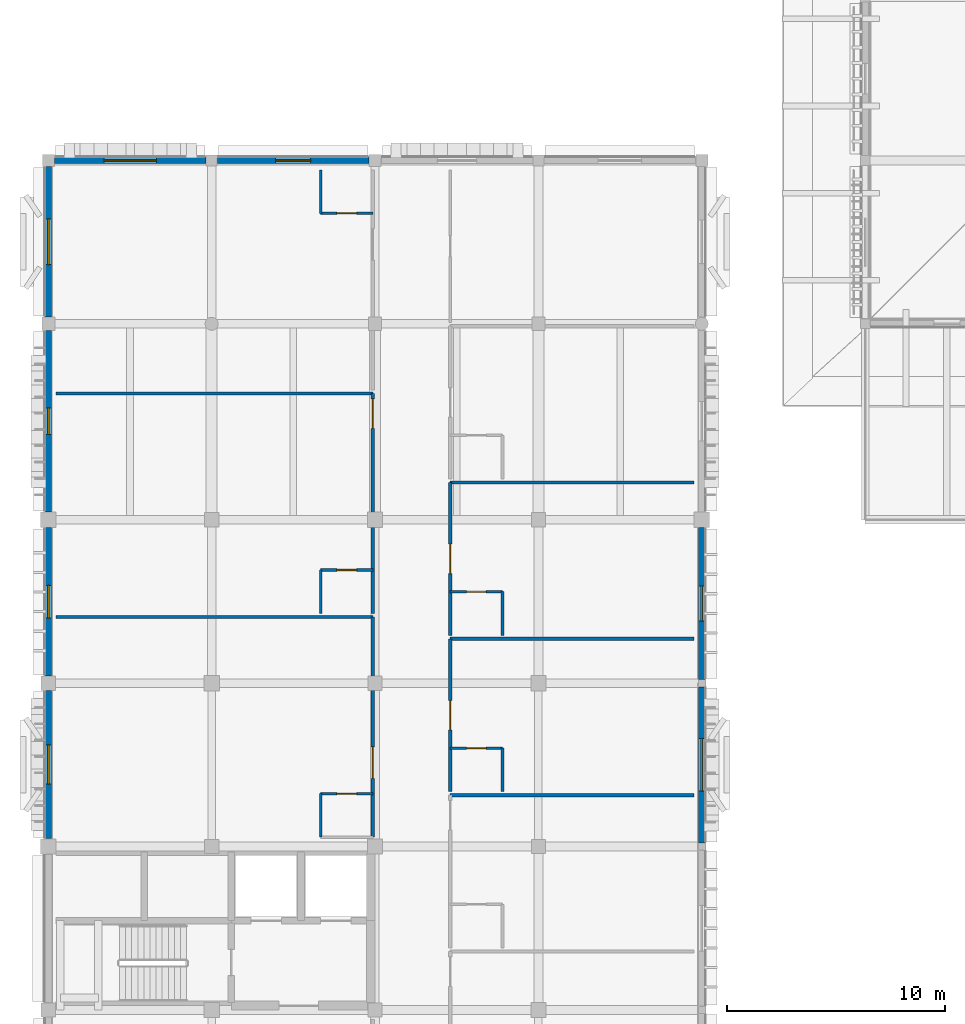
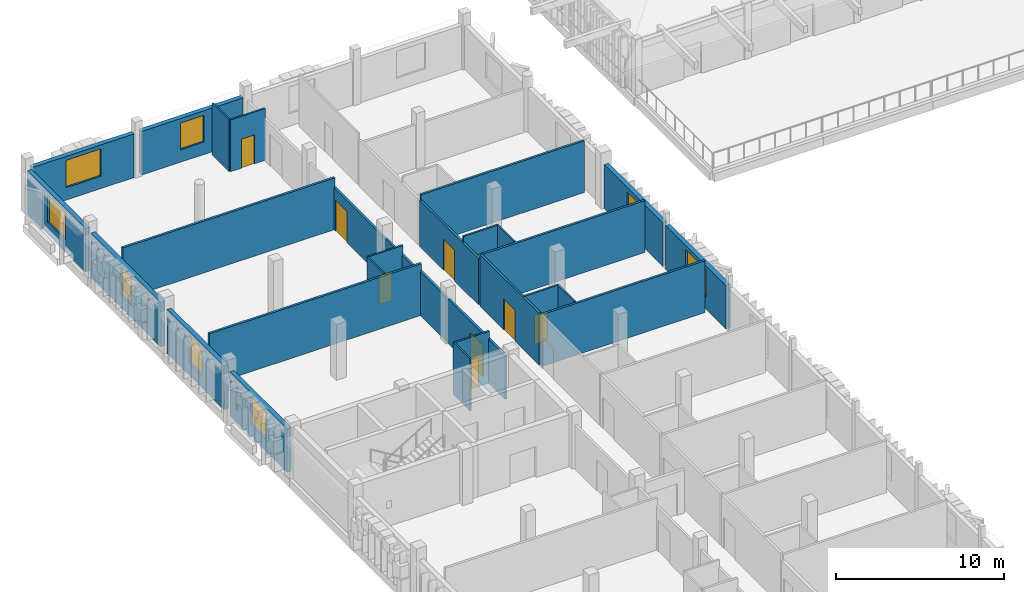
# One storey, part 21 of 48: 27 walls, 9 doors, 8 windows, 17 openings.
"""IFC4 building model written with IfcOpenShell, lengths in metres."""

from ifc_helpers import new_model, si_unit, direction, frame, frame_2d, origin, place, context, subcontext, project, spatial, rectangle, extrude, material, layer, layer_set, type_object, element, fill, save


model = new_model("IFC4")

# Units and contexts
model_context = context("Model", 3, precision=1e-05, world=origin(), true_north=direction((0.0, 1.0)))
body_context = subcontext(model_context, "Body", "Model", "MODEL_VIEW")
ifc_project = project(units=[si_unit("LENGTHUNIT", "METRE"), si_unit("AREAUNIT", "SQUARE_METRE"), si_unit("VOLUMEUNIT", "CUBIC_METRE"), si_unit("PLANEANGLEUNIT", "RADIAN"), si_unit("MASSUNIT", "GRAM", prefix="KILO")], contexts=[model_context])

# Site, building, storey
site_placement = place(None, origin())
site = spatial("IfcSite", under=ifc_project, at=site_placement, CompositionType="ELEMENT")
building_placement = place(site_placement, origin())
building = spatial("IfcBuilding", under=site, at=building_placement, Name="Dalvernix Boulevard General Hospital", CompositionType="ELEMENT")
storey_placement = place(building_placement, frame((0.0, 0.0, 17.85009765625)))
storey = spatial("IfcBuildingStorey", under=building, at=storey_placement, Name="L04", CompositionType="ELEMENT", Elevation=17.85009765625)

# Wall, opening, window
ifc_material_1 = material(Name="Pressed Catalan clay brick and ceramic spandrel wall C35/45", Category="masonry")
ifc_layer_1 = layer(ifc_material_1, 0.300048828125)
ifc_layer_set_1 = layer_set([ifc_layer_1], Name="Pressed Catalan clay brick and ceramic spandrel wall C35/45 (WAL-EW-02)")
wall_type_1 = type_object("IfcWallType", Name="WAL-EW-02", PredefinedType="STANDARD", material=ifc_layer_set_1)
wall_1_placement = place(storey_placement, frame((0.0, 61.860107421875, 0.0), z_axis=(0.0, 0.0, 1.0), x_axis=(0.0, 1.0, 0.0)))
wall_1 = element("IfcWall", 1, at=wall_1_placement, inside=storey, type_object=wall_type_1, Name="L04 Catalan brick external wall W 0-8", PredefinedType="STANDARD", context=body_context, shape_type="SweptSolid", body=[
    extrude(rectangle(XDim=6.804931640625, YDim=0.300048828125, at=frame_2d((3.40234375, 0.0))), origin(), (0.0, 0.0, 1.0), 3.169921875),
])
opening_1_placement = place(wall_1_placement, frame((2.50244140625, 0.0, 0.89990234375)))
opening_1 = element("IfcOpeningElement", 2, at=opening_1_placement, cuts=wall_1, Name="Opening WN-05", PredefinedType="OPENING", context=body_context, shape_type="SweptSolid", body=[
    extrude(rectangle(XDim=1.800048828125, YDim=1.989990234375, at=frame_2d((0.89990234375, 0.9951171875))), frame((0.0, 0.159912109375, 0.0), z_axis=(0.0, -1.0, 0.0), x_axis=(1.0, 0.0, 0.0)), (0.0, 0.0, 1.0), 0.320068359375),
])
ifc_material_2 = material(Name="Thermally broken aluminium frame with solar-control double glazing", Category="aluminium")
window_type_1 = type_object("IfcWindowType", Name="WIN-WN-05", PartitioningType="SINGLE_PANEL", PredefinedType="WINDOW", material=ifc_material_2)
window_1_placement = place(opening_1_placement, origin())
window_1 = element("IfcWindow", 3, at=window_1_placement, inside=storey, type_object=window_type_1, Name="L04 clinical window WN-05 W 0-8", OverallHeight=1.989990234375, OverallWidth=1.800048828125, PartitioningType="SINGLE_PANEL", PredefinedType="WINDOW", context=body_context, shape_type="SweptSolid", body=[
    extrude(rectangle(XDim=1.800048828125, YDim=1.989990234375, at=frame_2d((0.89990234375, 0.9951171875))), frame((0.0, 0.030029296875, 0.0), z_axis=(0.0, -1.0, 0.0), x_axis=(1.0, 0.0, 0.0)), (0.0, 0.0, 1.0), 0.06005859375),
])
fill(opening_1, window_1)

wall_2_placement = place(storey_placement, frame((0.0, 69.3349609375, 0.0), z_axis=(0.0, 0.0, 1.0), x_axis=(0.0, 1.0, 0.0)))
wall_2 = element("IfcWall", 4, at=wall_2_placement, inside=storey, type_object=wall_type_1, Name="L04 Catalan brick external wall W 0-9", PredefinedType="STANDARD", context=body_context, shape_type="SweptSolid", body=[
    extrude(rectangle(XDim=6.804931640625, YDim=0.300048828125, at=frame_2d((3.40234375, 0.0))), origin(), (0.0, 0.0, 1.0), 3.169921875),
])
opening_2_placement = place(wall_2_placement, frame((2.652587890625, 0.0, 0.89990234375)))
opening_2 = element("IfcOpeningElement", 5, at=opening_2_placement, cuts=wall_2, Name="Opening WN-06", PredefinedType="OPENING", context=body_context, shape_type="SweptSolid", body=[
    extrude(rectangle(XDim=1.5, YDim=1.989990234375, at=frame_2d((0.75, 0.9951171875))), frame((0.0, 0.159912109375, 0.0), z_axis=(0.0, -1.0, 0.0), x_axis=(1.0, 0.0, 0.0)), (0.0, 0.0, 1.0), 0.320068359375),
])
window_type_2 = type_object("IfcWindowType", Name="WIN-WN-06", PartitioningType="SINGLE_PANEL", PredefinedType="WINDOW", material=ifc_material_2)
window_2_placement = place(opening_2_placement, origin())
window_2 = element("IfcWindow", 6, at=window_2_placement, inside=storey, type_object=window_type_2, Name="L04 clinical window WN-06 W 0-9", OverallHeight=1.989990234375, OverallWidth=1.5, PartitioningType="SINGLE_PANEL", PredefinedType="WINDOW", context=body_context, shape_type="SweptSolid", body=[
    extrude(rectangle(XDim=1.5, YDim=1.989990234375, at=frame_2d((0.75, 0.9951171875))), frame((0.0, 0.030029296875, 0.0), z_axis=(0.0, -1.0, 0.0), x_axis=(1.0, 0.0, 0.0)), (0.0, 0.0, 1.0), 0.06005859375),
])
fill(opening_2, window_2)

wall_3_placement = place(storey_placement, frame((0.0, 76.860107421875, 0.0), z_axis=(0.0, 0.0, 1.0), x_axis=(0.0, 1.0, 0.0)))
wall_3 = element("IfcWall", 7, at=wall_3_placement, inside=storey, type_object=wall_type_1, Name="L04 Catalan brick external wall W 0-10", PredefinedType="STANDARD", context=body_context, shape_type="SweptSolid", body=[
    extrude(rectangle(XDim=8.329833984375, YDim=0.300048828125, at=frame_2d((4.1650390625, 0.0))), origin(), (0.0, 0.0, 1.0), 3.219970703125),
])
opening_3_placement = place(wall_3_placement, frame((3.56494140625, 0.0, 0.89990234375)))
opening_3 = element("IfcOpeningElement", 8, at=opening_3_placement, cuts=wall_3, Name="Opening WN-07", PredefinedType="OPENING", context=body_context, shape_type="SweptSolid", body=[
    extrude(rectangle(XDim=1.199951171875, YDim=2.0400390625, at=frame_2d((0.60009765625, 1.02001953125))), frame((0.0, 0.159912109375, 0.0), z_axis=(0.0, -1.0, 0.0), x_axis=(1.0, 0.0, 0.0)), (0.0, 0.0, 1.0), 0.320068359375),
])
window_type_3 = type_object("IfcWindowType", Name="WIN-WN-07", PartitioningType="SINGLE_PANEL", PredefinedType="WINDOW", material=ifc_material_2)
window_3_placement = place(opening_3_placement, origin())
window_3 = element("IfcWindow", 9, at=window_3_placement, inside=storey, type_object=window_type_3, Name="L04 clinical window WN-07 W 0-10", OverallHeight=2.0400390625, OverallWidth=1.199951171875, PartitioningType="SINGLE_PANEL", PredefinedType="WINDOW", context=body_context, shape_type="SweptSolid", body=[
    extrude(rectangle(XDim=1.199951171875, YDim=2.0400390625, at=frame_2d((0.60009765625, 1.02001953125))), frame((0.0, 0.030029296875, 0.0), z_axis=(0.0, -1.0, 0.0), x_axis=(1.0, 0.0, 0.0)), (0.0, 0.0, 1.0), 0.06005859375),
])
fill(opening_3, window_3)

wall_4_placement = place(storey_placement, frame((0.284912109375, 93.0, 0.0), z_axis=(0.0, 0.0, 1.0), x_axis=(1.0, 0.0, 0.0)))
wall_4 = element("IfcWall", 10, at=wall_4_placement, inside=storey, type_object=wall_type_1, Name="L04 Catalan brick external wall N 0-12", PredefinedType="STANDARD", context=body_context, shape_type="SweptSolid", body=[
    extrude(rectangle(XDim=6.955078125, YDim=0.300048828125, at=frame_2d((3.4775390625, 0.0))), origin(), (0.0, 0.0, 1.0), 3.169921875),
])
opening_4_placement = place(wall_4_placement, frame((2.277587890625, 0.0, 0.89990234375)))
opening_4 = element("IfcOpeningElement", 11, at=opening_4_placement, cuts=wall_4, Name="Opening WN-09", PredefinedType="OPENING", context=body_context, shape_type="SweptSolid", body=[
    extrude(rectangle(XDim=2.39990234375, YDim=1.989990234375, at=frame_2d((1.199951171875, 0.9951171875))), frame((0.0, 0.159912109375, 0.0), z_axis=(0.0, -1.0, 0.0), x_axis=(1.0, 0.0, 0.0)), (0.0, 0.0, 1.0), 0.320068359375),
])
window_type_4 = type_object("IfcWindowType", Name="WIN-WN-09", PartitioningType="SINGLE_PANEL", PredefinedType="WINDOW", material=ifc_material_2)
window_4_placement = place(opening_4_placement, origin())
window_4 = element("IfcWindow", 12, at=window_4_placement, inside=storey, type_object=window_type_4, Name="L04 clinical window WN-09 N 0-12", OverallHeight=1.989990234375, OverallWidth=2.39990234375, PartitioningType="SINGLE_PANEL", PredefinedType="WINDOW", context=body_context, shape_type="SweptSolid", body=[
    extrude(rectangle(XDim=2.39990234375, YDim=1.989990234375, at=frame_2d((1.199951171875, 0.9951171875))), frame((0.0, 0.030029296875, 0.0), z_axis=(0.0, -1.0, 0.0), x_axis=(1.0, 0.0, 0.0)), (0.0, 0.0, 1.0), 0.06005859375),
])
fill(opening_4, window_4)

wall_5_placement = place(storey_placement, frame((0.0, 85.81005859375, 0.0), z_axis=(0.0, 0.0, 1.0), x_axis=(0.0, 1.0, 0.0)))
wall_5 = element("IfcWall", 13, at=wall_5_placement, inside=storey, type_object=wall_type_1, Name="L04 Catalan brick external wall W 0-11", PredefinedType="STANDARD", context=body_context, shape_type="SweptSolid", body=[
    extrude(rectangle(XDim=6.905029296875, YDim=0.300048828125, at=frame_2d((3.45263671875, 0.0))), origin(), (0.0, 0.0, 1.0), 3.169921875),
])
opening_5_placement = place(wall_5_placement, frame((2.402587890625, 0.0, 0.89990234375)))
opening_5 = element("IfcOpeningElement", 14, at=opening_5_placement, cuts=wall_5, Name="Opening WN-08", PredefinedType="OPENING", context=body_context, shape_type="SweptSolid", body=[
    extrude(rectangle(XDim=2.10009765625, YDim=1.989990234375, at=frame_2d((1.050048828125, 0.9951171875))), frame((0.0, 0.159912109375, 0.0), z_axis=(0.0, -1.0, 0.0), x_axis=(1.0, 0.0, 0.0)), (0.0, 0.0, 1.0), 0.320068359375),
])
window_type_5 = type_object("IfcWindowType", Name="WIN-WN-08", PartitioningType="SINGLE_PANEL", PredefinedType="WINDOW", material=ifc_material_2)
window_5_placement = place(opening_5_placement, origin())
window_5 = element("IfcWindow", 15, at=window_5_placement, inside=storey, type_object=window_type_5, Name="L04 clinical window WN-08 W 0-11", OverallHeight=1.989990234375, OverallWidth=2.10009765625, PartitioningType="SINGLE_PANEL", PredefinedType="WINDOW", context=body_context, shape_type="SweptSolid", body=[
    extrude(rectangle(XDim=2.10009765625, YDim=1.989990234375, at=frame_2d((1.050048828125, 0.9951171875))), frame((0.0, 0.030029296875, 0.0), z_axis=(0.0, -1.0, 0.0), x_axis=(1.0, 0.0, 0.0)), (0.0, 0.0, 1.0), 0.06005859375),
])
fill(opening_5, window_5)

wall_6_placement = place(storey_placement, frame((7.760009765625, 93.0, 0.0), z_axis=(0.0, 0.0, 1.0), x_axis=(1.0, 0.0, 0.0)))
wall_6 = element("IfcWall", 16, at=wall_6_placement, inside=storey, type_object=wall_type_1, Name="L04 Catalan brick external wall N 1-12", PredefinedType="STANDARD", context=body_context, shape_type="SweptSolid", body=[
    extrude(rectangle(XDim=6.955078125, YDim=0.300048828125, at=frame_2d((3.4775390625, 0.0))), origin(), (0.0, 0.0, 1.0), 3.169921875),
])
opening_6_placement = place(wall_6_placement, frame((2.677490234375, 0.0, 0.89990234375)))
opening_6 = element("IfcOpeningElement", 17, at=opening_6_placement, cuts=wall_6, Name="Opening WN-10", PredefinedType="OPENING", context=body_context, shape_type="SweptSolid", body=[
    extrude(rectangle(XDim=1.60009765625, YDim=1.949951171875, at=frame_2d((0.800048828125, 0.97509765625))), frame((0.0, 0.159912109375, 0.0), z_axis=(0.0, -1.0, 0.0), x_axis=(1.0, 0.0, 0.0)), (0.0, 0.0, 1.0), 0.320068359375),
])
window_type_6 = type_object("IfcWindowType", Name="WIN-WN-10", PartitioningType="SINGLE_PANEL", PredefinedType="WINDOW", material=ifc_material_2)
window_6_placement = place(opening_6_placement, origin())
window_6 = element("IfcWindow", 18, at=window_6_placement, inside=storey, type_object=window_type_6, Name="L04 clinical window WN-10 N 1-12", OverallHeight=1.949951171875, OverallWidth=1.60009765625, PartitioningType="SINGLE_PANEL", PredefinedType="WINDOW", context=body_context, shape_type="SweptSolid", body=[
    extrude(rectangle(XDim=1.60009765625, YDim=1.949951171875, at=frame_2d((0.800048828125, 0.97509765625))), frame((0.0, 0.030029296875, 0.0), z_axis=(0.0, -1.0, 0.0), x_axis=(1.0, 0.0, 0.0)), (0.0, 0.0, 1.0), 0.06005859375),
])
fill(opening_6, window_6)

wall_7_placement = place(storey_placement, frame((30.0, 68.830078125, 0.0), z_axis=(0.0, 0.0, 1.0), x_axis=(0.0, -1.0, 0.0)))
wall_7 = element("IfcWall", 19, at=wall_7_placement, inside=storey, type_object=wall_type_1, Name="L04 Catalan brick external wall E 4-8", PredefinedType="STANDARD", context=body_context, shape_type="SweptSolid", body=[
    extrude(rectangle(XDim=7.16015625, YDim=0.300048828125, at=frame_2d((3.580078125, 0.0))), origin(), (0.0, 0.0, 1.0), 3.169921875),
])
opening_7_placement = place(wall_7_placement, frame((2.3798828125, 0.0, 0.89990234375)))
opening_7 = element("IfcOpeningElement", 20, at=opening_7_placement, cuts=wall_7, Name="Opening WN-09", PredefinedType="OPENING", context=body_context, shape_type="SweptSolid", body=[
    extrude(rectangle(XDim=2.39990234375, YDim=1.989990234375, at=frame_2d((1.199951171875, 0.9951171875))), frame((0.0, 0.159912109375, 0.0), z_axis=(0.0, -1.0, 0.0), x_axis=(1.0, 0.0, 0.0)), (0.0, 0.0, 1.0), 0.320068359375),
])
window_7_placement = place(opening_7_placement, origin())
window_7 = element("IfcWindow", 21, at=window_7_placement, inside=storey, type_object=window_type_4, Name="L04 clinical window WN-09 E 4-8", OverallHeight=1.989990234375, OverallWidth=2.39990234375, PartitioningType="SINGLE_PANEL", PredefinedType="WINDOW", context=body_context, shape_type="SweptSolid", body=[
    extrude(rectangle(XDim=2.39990234375, YDim=1.989990234375, at=frame_2d((1.199951171875, 0.9951171875))), frame((0.0, 0.030029296875, 0.0), z_axis=(0.0, -1.0, 0.0), x_axis=(1.0, 0.0, 0.0)), (0.0, 0.0, 1.0), 0.06005859375),
])
fill(opening_7, window_7)

wall_8_placement = place(storey_placement, frame((30.0, 76.139892578125, 0.0), z_axis=(0.0, 0.0, 1.0), x_axis=(0.0, -1.0, 0.0)))
wall_8 = element("IfcWall", 22, at=wall_8_placement, inside=storey, type_object=wall_type_1, Name="L04 Catalan brick external wall E 4-9", PredefinedType="STANDARD", context=body_context, shape_type="SweptSolid", body=[
    extrude(rectangle(XDim=6.969970703125, YDim=0.300048828125, at=frame_2d((3.48486328125, 0.0))), origin(), (0.0, 0.0, 1.0), 3.169921875),
])
opening_8_placement = place(wall_8_placement, frame((2.68505859375, 0.0, 0.89990234375)))
opening_8 = element("IfcOpeningElement", 23, at=opening_8_placement, cuts=wall_8, Name="Opening WN-10", PredefinedType="OPENING", context=body_context, shape_type="SweptSolid", body=[
    extrude(rectangle(XDim=1.60009765625, YDim=1.949951171875, at=frame_2d((0.800048828125, 0.97509765625))), frame((0.0, 0.159912109375, 0.0), z_axis=(0.0, -1.0, 0.0), x_axis=(1.0, 0.0, 0.0)), (0.0, 0.0, 1.0), 0.320068359375),
])
window_8_placement = place(opening_8_placement, origin())
window_8 = element("IfcWindow", 24, at=window_8_placement, inside=storey, type_object=window_type_6, Name="L04 clinical window WN-10 E 4-9", OverallHeight=1.949951171875, OverallWidth=1.60009765625, PartitioningType="SINGLE_PANEL", PredefinedType="WINDOW", context=body_context, shape_type="SweptSolid", body=[
    extrude(rectangle(XDim=1.60009765625, YDim=1.949951171875, at=frame_2d((0.800048828125, 0.97509765625))), frame((0.0, 0.030029296875, 0.0), z_axis=(0.0, -1.0, 0.0), x_axis=(1.0, 0.0, 0.0)), (0.0, 0.0, 1.0), 0.06005859375),
])
fill(opening_8, window_8)

# Wall, opening, door
ifc_material_3 = material(Name="Acoustic double-stud gypsum inpatient partition")
ifc_layer_2 = layer(ifc_material_3, 0.14990234375)
ifc_layer_set_2 = layer_set([ifc_layer_2], Name="Acoustic double-stud gypsum inpatient partition (WAL-IW-04)")
wall_type_2 = type_object("IfcWallType", Name="WAL-IW-04", PredefinedType="PARTITIONING", material=ifc_layer_set_2)
wall_9_placement = place(storey_placement, frame((14.89990234375, 61.929931640625, 0.0), z_axis=(0.0, 0.0, 1.0), x_axis=(0.0, 1.0, 0.0)))
wall_9 = element("IfcWall", 25, at=wall_9_placement, inside=storey, type_object=wall_type_2, Name="L04 Four Bed Medical Inpatient Ward L04-W06 corridor wall", PredefinedType="PARTITIONING", context=body_context, shape_type="SweptSolid", body=[
    extrude(rectangle(XDim=10.106689453125, YDim=0.14990234375, at=frame_2d((5.05322265625, 0.0))), origin(), (0.0, 0.0, 1.0), 3.204833984375),
])
opening_9_placement = place(wall_9_placement, frame((2.697021484375, 0.0, 0.0)))
opening_9 = element("IfcOpeningElement", 26, at=opening_9_placement, cuts=wall_9, Name="Opening ID-02", PredefinedType="OPENING", context=body_context, shape_type="SweptSolid", body=[
    extrude(rectangle(XDim=1.449951171875, YDim=2.300048828125, at=frame_2d((0.72509765625, 1.14990234375))), frame((0.0, 0.0849609375, 0.0), z_axis=(0.0, -1.0, 0.0), x_axis=(1.0, 0.0, 0.0)), (0.0, 0.0, 1.0), 0.169921875),
])
ifc_material_4 = material(Name="Hospital laminate acoustic timber and steel frame", Category="steel")
door_type_1 = type_object("IfcDoorType", Name="DR-ID-02", OperationType="NOTDEFINED", PredefinedType="DOOR", material=ifc_material_4)
door_1_placement = place(opening_9_placement, origin())
door_1 = element("IfcDoor", 27, at=door_1_placement, inside=storey, type_object=door_type_1, Name="L04 Four Bed Medical Inpatient Ward L04-W06 door", OperationType="SINGLE_SWING_LEFT", OverallHeight=2.300048828125, OverallWidth=1.449951171875, PredefinedType="DOOR", context=body_context, shape_type="SweptSolid", body=[
    extrude(rectangle(XDim=1.449951171875, YDim=2.300048828125, at=frame_2d((0.72509765625, 1.14990234375))), frame((0.0, 0.02490234375, 0.0), z_axis=(0.0, -1.0, 0.0), x_axis=(1.0, 0.0, 0.0)), (0.0, 0.0, 1.0), 0.050048828125),
])
fill(opening_9, door_1)

wall_10_placement = place(storey_placement, frame((14.89990234375, 72.19677734375, 0.0), z_axis=(0.0, 0.0, 1.0), x_axis=(0.0, 1.0, 0.0)))
wall_10 = element("IfcWall", 28, at=wall_10_placement, inside=storey, type_object=wall_type_2, Name="L04 General Medical Single Patient Room L04-W07 corridor wall", PredefinedType="PARTITIONING", context=body_context, shape_type="SweptSolid", body=[
    extrude(rectangle(XDim=10.1064453125, YDim=0.14990234375, at=frame_2d((5.05322265625, 0.0))), origin(), (0.0, 0.0, 1.0), 3.054931640625),
])
opening_10_placement = place(wall_10_placement, frame((8.506591796875, 0.0, 0.0)))
opening_10 = element("IfcOpeningElement", 29, at=opening_10_placement, cuts=wall_10, Name="Opening ID-01", PredefinedType="OPENING", context=body_context, shape_type="SweptSolid", body=[
    extrude(rectangle(XDim=1.35009765625, YDim=2.25, at=frame_2d((0.675048828125, 1.125))), frame((0.0, 0.0849609375, 0.0), z_axis=(0.0, -1.0, 0.0), x_axis=(1.0, 0.0, 0.0)), (0.0, 0.0, 1.0), 0.169921875),
])
door_type_2 = type_object("IfcDoorType", Name="DR-ID-01", OperationType="NOTDEFINED", PredefinedType="DOOR", material=ifc_material_4)
door_2_placement = place(opening_10_placement, origin())
door_2 = element("IfcDoor", 30, at=door_2_placement, inside=storey, type_object=door_type_2, Name="L04 General Medical Single Patient Room L04-W07 door", OperationType="SINGLE_SWING_LEFT", OverallHeight=2.25, OverallWidth=1.35009765625, PredefinedType="DOOR", context=body_context, shape_type="SweptSolid", body=[
    extrude(rectangle(XDim=1.35009765625, YDim=2.25, at=frame_2d((0.675048828125, 1.125))), frame((0.0, 0.02490234375, 0.0), z_axis=(0.0, -1.0, 0.0), x_axis=(1.0, 0.0, 0.0)), (0.0, 0.0, 1.0), 0.050048828125),
])
fill(opening_10, door_2)

wall_11_placement = place(storey_placement, frame((18.449951171875, 71.0380859375, 0.0), z_axis=(0.0, 0.0, 1.0), x_axis=(0.0, -1.0, 0.0)))
wall_11 = element("IfcWall", 31, at=wall_11_placement, inside=storey, type_object=wall_type_2, Name="L04 Single Patient Room L04-E07 corridor wall", PredefinedType="PARTITIONING", context=body_context, shape_type="SweptSolid", body=[
    extrude(rectangle(XDim=7.01708984375, YDim=0.14990234375, at=frame_2d((3.508544921875, 0.0))), origin(), (0.0, 0.0, 1.0), 3.7548828125),
])
opening_11_placement = place(wall_11_placement, frame((2.83349609375, 0.0, 0.0)))
opening_11 = element("IfcOpeningElement", 32, at=opening_11_placement, cuts=wall_11, Name="Opening ID-01", PredefinedType="OPENING", context=body_context, shape_type="SweptSolid", body=[
    extrude(rectangle(XDim=1.35009765625, YDim=2.25, at=frame_2d((0.675048828125, 1.125))), frame((0.0, 0.0849609375, 0.0), z_axis=(0.0, -1.0, 0.0), x_axis=(1.0, 0.0, 0.0)), (0.0, 0.0, 1.0), 0.169921875),
])
door_3_placement = place(opening_11_placement, origin())
door_3 = element("IfcDoor", 33, at=door_3_placement, inside=storey, type_object=door_type_2, Name="L04 Single Patient Room L04-E07 door", OperationType="SINGLE_SWING_RIGHT", OverallHeight=2.25, OverallWidth=1.35009765625, PredefinedType="DOOR", context=body_context, shape_type="SweptSolid", body=[
    extrude(rectangle(XDim=1.35009765625, YDim=2.25, at=frame_2d((0.675048828125, 1.125))), frame((0.0, 0.02490234375, 0.0), z_axis=(0.0, -1.0, 0.0), x_axis=(1.0, 0.0, 0.0)), (0.0, 0.0, 1.0), 0.050048828125),
])
fill(opening_11, door_3)

wall_12_placement = place(storey_placement, frame((18.449951171875, 78.215576171875, 0.0), z_axis=(0.0, 0.0, 1.0), x_axis=(0.0, -1.0, 0.0)))
wall_12 = element("IfcWall", 34, at=wall_12_placement, inside=storey, type_object=wall_type_2, Name="L04 Single Patient Room L04-E08 corridor wall", PredefinedType="PARTITIONING", context=body_context, shape_type="SweptSolid", body=[
    extrude(rectangle(XDim=7.017333984375, YDim=0.14990234375, at=frame_2d((3.5087890625, 0.0))), origin(), (0.0, 0.0, 1.0), 3.35498046875),
])
opening_12_placement = place(wall_12_placement, frame((2.83349609375, 0.0, 0.0)))
opening_12 = element("IfcOpeningElement", 35, at=opening_12_placement, cuts=wall_12, Name="Opening ID-01", PredefinedType="OPENING", context=body_context, shape_type="SweptSolid", body=[
    extrude(rectangle(XDim=1.35009765625, YDim=2.25, at=frame_2d((0.675048828125, 1.125))), frame((0.0, 0.0849609375, 0.0), z_axis=(0.0, -1.0, 0.0), x_axis=(1.0, 0.0, 0.0)), (0.0, 0.0, 1.0), 0.169921875),
])
door_4_placement = place(opening_12_placement, origin())
door_4 = element("IfcDoor", 36, at=door_4_placement, inside=storey, type_object=door_type_2, Name="L04 Single Patient Room L04-E08 door", OperationType="SINGLE_SWING_RIGHT", OverallHeight=2.25, OverallWidth=1.35009765625, PredefinedType="DOOR", context=body_context, shape_type="SweptSolid", body=[
    extrude(rectangle(XDim=1.35009765625, YDim=2.25, at=frame_2d((0.675048828125, 1.125))), frame((0.0, 0.02490234375, 0.0), z_axis=(0.0, -1.0, 0.0), x_axis=(1.0, 0.0, 0.0)), (0.0, 0.0, 1.0), 0.050048828125),
])
fill(opening_12, door_4)

# Walls
for number, where, z_axis, x_axis, name in (
    (37, (0.35009765625, 72.03662109375, 0.0), (0.0, 0.0, 1.0), (1.0, 0.0, 0.0), "L04 Four Bed Medical Inpatient Ward L04-W06 partition"),
    (38, (0.35009765625, 82.30322265625, 0.0), (0.0, 0.0, 1.0), (1.0, 0.0, 0.0), "L04 General Medical Single Patient Room L04-W07 partition"),
):
    element("IfcWall", number, at=place(storey_placement, frame(where, z_axis=z_axis, x_axis=x_axis)), inside=storey, type_object=wall_type_2, Name=name, PredefinedType="PARTITIONING", context=body_context, shape_type="SweptSolid", body=[
        extrude(rectangle(XDim=14.5498046875, YDim=0.14990234375, at=frame_2d((7.27490234375, 0.0))), origin(), (0.0, 0.0, 1.0), 3.7548828125),
    ])
for number, where, z_axis, x_axis, name in (
    (39, (18.449951171875, 63.86083984375, 0.0), (0.0, 0.0, 1.0), (1.0, 0.0, 0.0), "L04 Single Patient Room L04-E06 partition"),
    (40, (18.449951171875, 71.0380859375, 0.0), (0.0, 0.0, 1.0), (1.0, 0.0, 0.0), "L04 Single Patient Room L04-E07 partition"),
    (41, (18.449951171875, 78.215576171875, 0.0), (0.0, 0.0, 1.0), (1.0, 0.0, 0.0), "L04 Single Patient Room L04-E08 partition"),
):
    element("IfcWall", number, at=place(storey_placement, frame(where, z_axis=z_axis, x_axis=x_axis)), inside=storey, type_object=wall_type_2, Name=name, PredefinedType="PARTITIONING", context=body_context, shape_type="SweptSolid", body=[
        extrude(rectangle(XDim=11.199951171875, YDim=0.14990234375, at=frame_2d((5.60009765625, 0.0))), origin(), (0.0, 0.0, 1.0), 3.7548828125),
    ])

# Wall, opening, door
ifc_material_5 = material(Name="Moisture-resistant en-suite bathroom partition")
ifc_layer_3 = layer(ifc_material_5, 0.1201171875)
ifc_layer_set_3 = layer_set([ifc_layer_3], Name="Moisture-resistant en-suite bathroom partition (WAL-IW-05)")
wall_type_3 = type_object("IfcWallType", Name="WAL-IW-05", PredefinedType="PARTITIONING", material=ifc_layer_set_3)
wall_13_placement = place(storey_placement, frame((14.89990234375, 63.929931640625, 0.0), z_axis=(0.0, 0.0, 1.0), x_axis=(-1.0, 0.0, 0.0)))
wall_13 = element("IfcWall", 42, at=wall_13_placement, inside=storey, type_object=wall_type_3, Name="L04 en-suite bathroom door wall", PredefinedType="PARTITIONING", context=body_context, shape_type="SweptSolid", body=[
    extrude(rectangle(XDim=2.39990234375, YDim=0.1201171875, at=frame_2d((1.199951171875, 0.0))), origin(), (0.0, 0.0, 1.0), 3.7548828125),
])
opening_13_placement = place(wall_13_placement, frame((0.75, 0.0, 0.0)))
opening_13 = element("IfcOpeningElement", 43, at=opening_13_placement, cuts=wall_13, Name="Opening ID-05", PredefinedType="OPENING", context=body_context, shape_type="SweptSolid", body=[
    extrude(rectangle(XDim=0.89990234375, YDim=2.10009765625, at=frame_2d((0.449951171875, 1.050048828125))), frame((0.0, 0.070068359375, 0.0), z_axis=(0.0, -1.0, 0.0), x_axis=(1.0, 0.0, 0.0)), (0.0, 0.0, 1.0), 0.14013671875),
])
door_type_3 = type_object("IfcDoorType", Name="DR-ID-05", OperationType="NOTDEFINED", PredefinedType="DOOR", material=ifc_material_4)
door_5_placement = place(opening_13_placement, origin())
door_5 = element("IfcDoor", 44, at=door_5_placement, inside=storey, type_object=door_type_3, Name="L04 L04-WRD-W06 en-suite bathroom door", OperationType="SINGLE_SWING_RIGHT", OverallHeight=2.10009765625, OverallWidth=0.89990234375, PredefinedType="DOOR", context=body_context, shape_type="SweptSolid", body=[
    extrude(rectangle(XDim=0.89990234375, YDim=2.10009765625, at=frame_2d((0.449951171875, 1.050048828125))), frame((0.0, 0.02490234375, 0.0), z_axis=(0.0, -1.0, 0.0), x_axis=(1.0, 0.0, 0.0)), (0.0, 0.0, 1.0), 0.050048828125),
])
fill(opening_13, door_5)

# Wall
wall_14_placement = place(storey_placement, frame((12.5, 61.929931640625, 0.0), z_axis=(0.0, 0.0, 1.0), x_axis=(0.0, 1.0, 0.0)))
element("IfcWall", 45, at=wall_14_placement, inside=storey, type_object=wall_type_3, Name="L04 en-suite bathroom side wall", PredefinedType="PARTITIONING", context=body_context, shape_type="SweptSolid", body=[
    extrude(rectangle(XDim=2.0, YDim=0.1201171875, at=frame_2d((1.0, 0.0))), origin(), (0.0, 0.0, 1.0), 3.7548828125),
])

# Wall, opening, door
wall_15_placement = place(storey_placement, frame((14.89990234375, 74.19677734375, 0.0), z_axis=(0.0, 0.0, 1.0), x_axis=(-1.0, 0.0, 0.0)))
wall_15 = element("IfcWall", 46, at=wall_15_placement, inside=storey, type_object=wall_type_3, Name="L04 en-suite bathroom door wall", PredefinedType="PARTITIONING", context=body_context, shape_type="SweptSolid", body=[
    extrude(rectangle(XDim=2.39990234375, YDim=0.1201171875, at=frame_2d((1.199951171875, 0.0))), origin(), (0.0, 0.0, 1.0), 3.7548828125),
])
opening_14_placement = place(wall_15_placement, frame((0.75, 0.0, 0.0)))
opening_14 = element("IfcOpeningElement", 47, at=opening_14_placement, cuts=wall_15, Name="Opening ID-05", PredefinedType="OPENING", context=body_context, shape_type="SweptSolid", body=[
    extrude(rectangle(XDim=0.89990234375, YDim=2.10009765625, at=frame_2d((0.449951171875, 1.050048828125))), frame((0.0, 0.070068359375, 0.0), z_axis=(0.0, -1.0, 0.0), x_axis=(1.0, 0.0, 0.0)), (0.0, 0.0, 1.0), 0.14013671875),
])
door_6_placement = place(opening_14_placement, origin())
door_6 = element("IfcDoor", 48, at=door_6_placement, inside=storey, type_object=door_type_3, Name="L04 L04-WRD-W07 en-suite bathroom door", OperationType="SINGLE_SWING_RIGHT", OverallHeight=2.10009765625, OverallWidth=0.89990234375, PredefinedType="DOOR", context=body_context, shape_type="SweptSolid", body=[
    extrude(rectangle(XDim=0.89990234375, YDim=2.10009765625, at=frame_2d((0.449951171875, 1.050048828125))), frame((0.0, 0.02490234375, 0.0), z_axis=(0.0, -1.0, 0.0), x_axis=(1.0, 0.0, 0.0)), (0.0, 0.0, 1.0), 0.050048828125),
])
fill(opening_14, door_6)

# Wall
wall_16_placement = place(storey_placement, frame((12.5, 72.19677734375, 0.0), z_axis=(0.0, 0.0, 1.0), x_axis=(0.0, 1.0, 0.0)))
element("IfcWall", 49, at=wall_16_placement, inside=storey, type_object=wall_type_3, Name="L04 en-suite bathroom side wall", PredefinedType="PARTITIONING", context=body_context, shape_type="SweptSolid", body=[
    extrude(rectangle(XDim=2.0, YDim=0.1201171875, at=frame_2d((1.0, 0.0))), origin(), (0.0, 0.0, 1.0), 3.7548828125),
])

# Wall, opening, door
wall_17_placement = place(storey_placement, frame((12.5, 90.570068359375, 0.0), z_axis=(0.0, 0.0, 1.0), x_axis=(1.0, 0.0, 0.0)))
wall_17 = element("IfcWall", 50, at=wall_17_placement, inside=storey, type_object=wall_type_3, Name="L04 en-suite bathroom door wall", PredefinedType="PARTITIONING", context=body_context, shape_type="SweptSolid", body=[
    extrude(rectangle(XDim=2.39990234375, YDim=0.1201171875, at=frame_2d((1.199951171875, 0.0))), origin(), (0.0, 0.0, 1.0), 3.7548828125),
])
opening_15_placement = place(wall_17_placement, frame((0.75, 0.0, 0.0)))
opening_15 = element("IfcOpeningElement", 51, at=opening_15_placement, cuts=wall_17, Name="Opening ID-05", PredefinedType="OPENING", context=body_context, shape_type="SweptSolid", body=[
    extrude(rectangle(XDim=0.89990234375, YDim=2.10009765625, at=frame_2d((0.449951171875, 1.050048828125))), frame((0.0, 0.070068359375, 0.0), z_axis=(0.0, -1.0, 0.0), x_axis=(1.0, 0.0, 0.0)), (0.0, 0.0, 1.0), 0.14013671875),
])
door_7_placement = place(opening_15_placement, origin())
door_7 = element("IfcDoor", 52, at=door_7_placement, inside=storey, type_object=door_type_3, Name="L04 L04-WRD-W08 en-suite bathroom door", OperationType="SINGLE_SWING_RIGHT", OverallHeight=2.10009765625, OverallWidth=0.89990234375, PredefinedType="DOOR", context=body_context, shape_type="SweptSolid", body=[
    extrude(rectangle(XDim=0.89990234375, YDim=2.10009765625, at=frame_2d((0.449951171875, 1.050048828125))), frame((0.0, 0.02490234375, 0.0), z_axis=(0.0, -1.0, 0.0), x_axis=(1.0, 0.0, 0.0)), (0.0, 0.0, 1.0), 0.050048828125),
])
fill(opening_15, door_7)

# Wall
wall_18_placement = place(storey_placement, frame((12.5, 90.570068359375, 0.0), z_axis=(0.0, 0.0, 1.0), x_axis=(0.0, 1.0, 0.0)))
element("IfcWall", 53, at=wall_18_placement, inside=storey, type_object=wall_type_3, Name="L04 en-suite bathroom side wall", PredefinedType="PARTITIONING", context=body_context, shape_type="SweptSolid", body=[
    extrude(rectangle(XDim=2.0, YDim=0.1201171875, at=frame_2d((1.0, 0.0))), origin(), (0.0, 0.0, 1.0), 3.7548828125),
])

# Wall, opening, door
wall_19_placement = place(storey_placement, frame((20.85009765625, 66.02099609375, 0.0), z_axis=(0.0, 0.0, 1.0), x_axis=(-1.0, 0.0, 0.0)))
wall_19 = element("IfcWall", 54, at=wall_19_placement, inside=storey, type_object=wall_type_3, Name="L04 en-suite bathroom door wall", PredefinedType="PARTITIONING", context=body_context, shape_type="SweptSolid", body=[
    extrude(rectangle(XDim=2.400146484375, YDim=0.1201171875, at=frame_2d((1.2001953125, 0.0))), origin(), (0.0, 0.0, 1.0), 3.7548828125),
])
opening_16_placement = place(wall_19_placement, frame((0.75, 0.0, 0.0)))
opening_16 = element("IfcOpeningElement", 55, at=opening_16_placement, cuts=wall_19, Name="Opening ID-05", PredefinedType="OPENING", context=body_context, shape_type="SweptSolid", body=[
    extrude(rectangle(XDim=0.89990234375, YDim=2.10009765625, at=frame_2d((0.449951171875, 1.050048828125))), frame((0.0, 0.070068359375, 0.0), z_axis=(0.0, -1.0, 0.0), x_axis=(1.0, 0.0, 0.0)), (0.0, 0.0, 1.0), 0.14013671875),
])
door_8_placement = place(opening_16_placement, origin())
door_8 = element("IfcDoor", 56, at=door_8_placement, inside=storey, type_object=door_type_3, Name="L04 L04-RM-E07 en-suite bathroom door", OperationType="SINGLE_SWING_LEFT", OverallHeight=2.10009765625, OverallWidth=0.89990234375, PredefinedType="DOOR", context=body_context, shape_type="SweptSolid", body=[
    extrude(rectangle(XDim=0.89990234375, YDim=2.10009765625, at=frame_2d((0.449951171875, 1.050048828125))), frame((0.0, 0.02490234375, 0.0), z_axis=(0.0, -1.0, 0.0), x_axis=(1.0, 0.0, 0.0)), (0.0, 0.0, 1.0), 0.050048828125),
])
fill(opening_16, door_8)

# Wall
wall_20_placement = place(storey_placement, frame((20.85009765625, 64.02099609375, 0.0), z_axis=(0.0, 0.0, 1.0), x_axis=(0.0, 1.0, 0.0)))
element("IfcWall", 57, at=wall_20_placement, inside=storey, type_object=wall_type_3, Name="L04 en-suite bathroom side wall", PredefinedType="PARTITIONING", context=body_context, shape_type="SweptSolid", body=[
    extrude(rectangle(XDim=2.0, YDim=0.1201171875, at=frame_2d((1.0, 0.0))), origin(), (0.0, 0.0, 1.0), 3.7548828125),
])

# Wall, opening, door
wall_21_placement = place(storey_placement, frame((20.85009765625, 73.1982421875, 0.0), z_axis=(0.0, 0.0, 1.0), x_axis=(-1.0, 0.0, 0.0)))
wall_21 = element("IfcWall", 58, at=wall_21_placement, inside=storey, type_object=wall_type_3, Name="L04 en-suite bathroom door wall", PredefinedType="PARTITIONING", context=body_context, shape_type="SweptSolid", body=[
    extrude(rectangle(XDim=2.400146484375, YDim=0.1201171875, at=frame_2d((1.2001953125, 0.0))), origin(), (0.0, 0.0, 1.0), 3.7548828125),
])
opening_17_placement = place(wall_21_placement, frame((0.75, 0.0, 0.0)))
opening_17 = element("IfcOpeningElement", 59, at=opening_17_placement, cuts=wall_21, Name="Opening ID-05", PredefinedType="OPENING", context=body_context, shape_type="SweptSolid", body=[
    extrude(rectangle(XDim=0.89990234375, YDim=2.10009765625, at=frame_2d((0.449951171875, 1.050048828125))), frame((0.0, 0.070068359375, 0.0), z_axis=(0.0, -1.0, 0.0), x_axis=(1.0, 0.0, 0.0)), (0.0, 0.0, 1.0), 0.14013671875),
])
door_9_placement = place(opening_17_placement, origin())
door_9 = element("IfcDoor", 60, at=door_9_placement, inside=storey, type_object=door_type_3, Name="L04 L04-RM-E08 en-suite bathroom door", OperationType="SINGLE_SWING_LEFT", OverallHeight=2.10009765625, OverallWidth=0.89990234375, PredefinedType="DOOR", context=body_context, shape_type="SweptSolid", body=[
    extrude(rectangle(XDim=0.89990234375, YDim=2.10009765625, at=frame_2d((0.449951171875, 1.050048828125))), frame((0.0, 0.02490234375, 0.0), z_axis=(0.0, -1.0, 0.0), x_axis=(1.0, 0.0, 0.0)), (0.0, 0.0, 1.0), 0.050048828125),
])
fill(opening_17, door_9)

# Wall
wall_22_placement = place(storey_placement, frame((20.85009765625, 71.1982421875, 0.0), z_axis=(0.0, 0.0, 1.0), x_axis=(0.0, 1.0, 0.0)))
element("IfcWall", 61, at=wall_22_placement, inside=storey, type_object=wall_type_3, Name="L04 en-suite bathroom side wall", PredefinedType="PARTITIONING", context=body_context, shape_type="SweptSolid", body=[
    extrude(rectangle(XDim=2.0, YDim=0.1201171875, at=frame_2d((1.0, 0.0))), origin(), (0.0, 0.0, 1.0), 3.7548828125),
])

save(model, "model.ifc")
